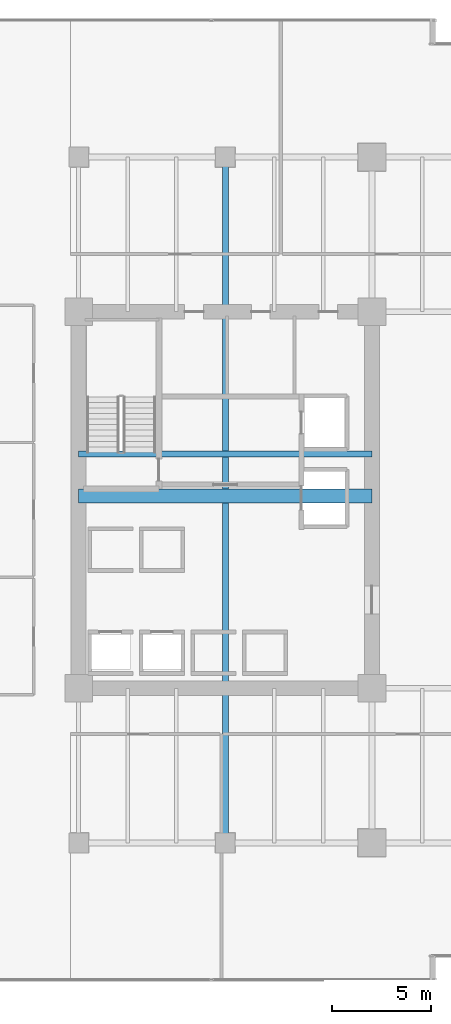
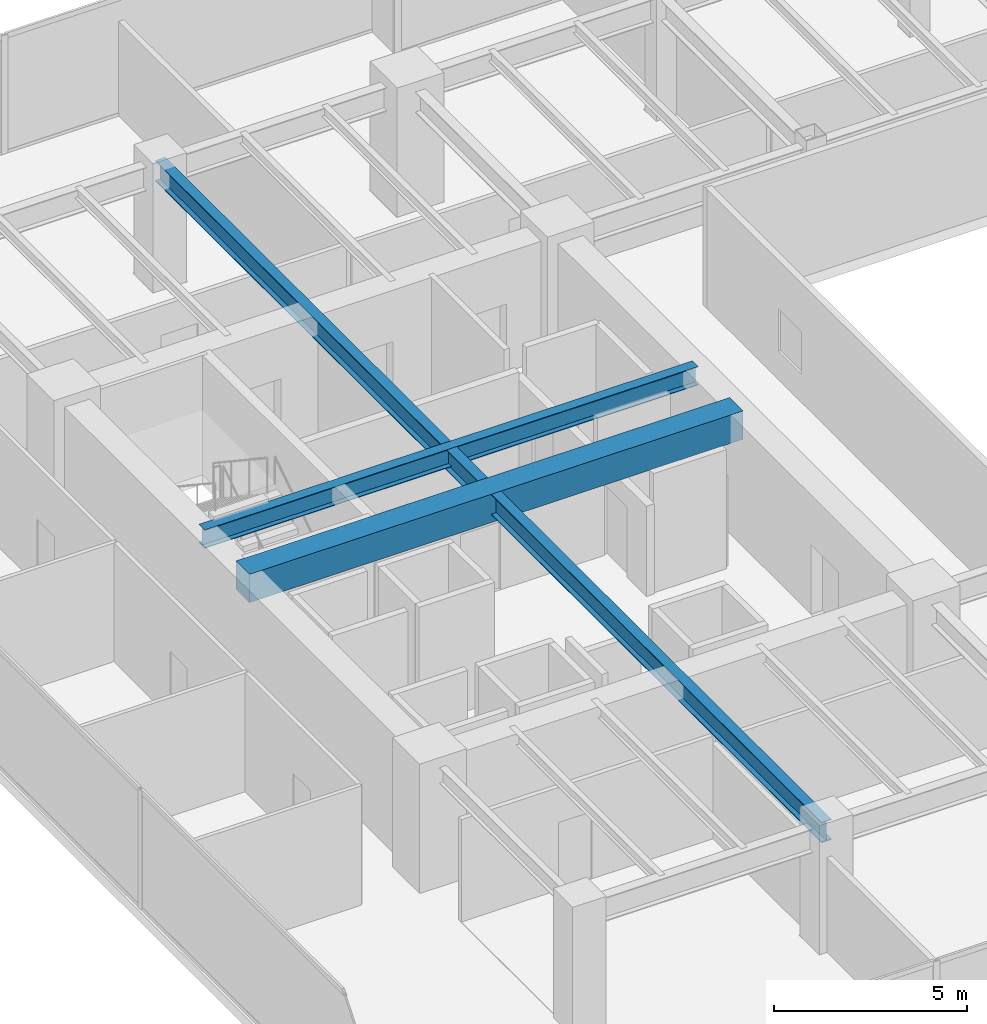
# One storey, part 7 of 37: 3 beams.
"""IFC4 building model written with IfcOpenShell, lengths in metres."""

from ifc_helpers import new_model, si_unit, direction, frame, origin, origin_2d, place, context, subcontext, project, spatial, rectangle, i_section, extrude, source, transform, mapped, material, material_profile, profile_set, type_object, type_shapes, element, save


model = new_model("IFC4")

# Units and contexts
model_context = context("Model", 3, precision=1e-05, world=origin(), true_north=direction((0.0, 1.0)))
body_context = subcontext(model_context, "Body", "Model", "MODEL_VIEW")
ifc_project = project(units=[si_unit("LENGTHUNIT", "METRE"), si_unit("AREAUNIT", "SQUARE_METRE"), si_unit("VOLUMEUNIT", "CUBIC_METRE"), si_unit("PLANEANGLEUNIT", "RADIAN"), si_unit("MASSUNIT", "GRAM", prefix="KILO")], contexts=[model_context])

# Site, building, storey
site_placement = place(None, origin())
site = spatial("IfcSite", under=ifc_project, at=site_placement, CompositionType="ELEMENT")
building_placement = place(site_placement, origin())
building = spatial("IfcBuilding", under=site, at=building_placement, Name="Haelvirn Gate Laboratories", CompositionType="ELEMENT")
storey_placement = place(building_placement, frame((0.0, 0.0, 78.5)))
storey = spatial("IfcBuildingStorey", under=building, at=storey_placement, Name="L19", CompositionType="ELEMENT", Elevation=78.5)

# Beams
ifc_material_1 = material(Name="Concrete C60/75", Category="concrete")
ifc_material_profile_1 = material_profile(ifc_material_1, rectangle(XDim=0.699951171875, YDim=0.89990234375, at=origin_2d()), Name="RCB-700x900")
ifc_profile_set_1 = profile_set([ifc_material_profile_1], Name="Concrete C60/75")
beam_type_1 = type_object("IfcBeamType", Name="BM-RCB-900", PredefinedType="LINTEL", material=ifc_profile_set_1)
shared_shape_1 = source(origin(), body_context, "Body", "SweptSolid", [
    extrude(rectangle(XDim=0.699951171875, YDim=0.89990234375, at=origin_2d()), origin(), (0.0, 0.0, 1.0), 14.800048828125),
])
type_shapes(beam_type_1, [shared_shape_1])
beam_1_placement = place(storey_placement, frame((7.39990234375, 24.5, 3.330078125), z_axis=(1.0, 0.0, 0.0), x_axis=(0.0, 1.0, 0.0)))
element("IfcBeam", 1, at=beam_1_placement, inside=storey, type_object=beam_type_1, Name="L19 West Core Coupling Beam", PredefinedType="LINTEL", context=body_context, shape_type="MappedRepresentation", body=[
    mapped(shared_shape_1, transform((0.0, 0.0, 0.0), scale=1.0)),
])
ifc_material_2 = material(Name="Steel SM355", Category="steel")
ifc_material_profile_2 = material_profile(ifc_material_2, i_section(OverallWidth=0.300048828125, OverallDepth=0.587890625, WebThickness=0.011962890625, FlangeThickness=0.02001953125, at=origin_2d()), Name="H-588x300x12x20")
ifc_profile_set_2 = profile_set([ifc_material_profile_2], Name="Steel SM355")
beam_type_2 = type_object("IfcBeamType", Name="BM-G-588", PredefinedType="BEAM", material=ifc_profile_set_2)
shared_shape_2 = source(origin(), body_context, "Body", "SweptSolid", [
    extrude(i_section(OverallWidth=0.300048828125, OverallDepth=0.587890625, WebThickness=0.011962890625, FlangeThickness=0.02001953125, at=origin_2d()), origin(), (0.0, 0.0, 1.0), 14.800048828125),
])
type_shapes(beam_type_2, [shared_shape_2])
beam_2_placement = place(storey_placement, frame((7.39990234375, 26.6201171875, 3.486083984375), z_axis=(1.0, 0.0, 0.0), x_axis=(0.0, 1.0, 0.0)))
element("IfcBeam", 2, at=beam_2_placement, inside=storey, type_object=beam_type_2, Name="L19 Stair ST1 Landing Header", PredefinedType="BEAM", context=body_context, shape_type="MappedRepresentation", body=[
    mapped(shared_shape_2, transform((0.0, 0.0, 0.0), scale=1.0)),
])
ifc_material_profile_3 = material_profile(ifc_material_2, i_section(OverallWidth=0.300048828125, OverallDepth=0.64990234375, WebThickness=0.012939453125, FlangeThickness=0.02197265625, at=origin_2d()), Name="H-650x300x13x22")
ifc_profile_set_3 = profile_set([ifc_material_profile_3], Name="Steel SM355")
beam_type_3 = type_object("IfcBeamType", Name="BM-G-650", PredefinedType="BEAM", material=ifc_profile_set_3)
shared_shape_3 = source(origin(), body_context, "Body", "SweptSolid", [
    extrude(i_section(OverallWidth=0.300048828125, OverallDepth=0.64990234375, WebThickness=0.012939453125, FlangeThickness=0.02197265625, at=origin_2d()), origin(), (0.0, 0.0, 1.0), 34.60009765625),
])
type_shapes(beam_type_3, [shared_shape_3])
beam_3_placement = place(storey_placement, frame((14.800048828125, 7.0, 3.455078125), z_axis=(0.0, 1.0, 0.0), x_axis=(-1.0, 0.0, 0.0)))
element("IfcBeam", 3, at=beam_3_placement, inside=storey, type_object=beam_type_3, Name="L19 Frame Girder X14.8 (7.0-41.6)", PredefinedType="BEAM", context=body_context, shape_type="MappedRepresentation", body=[
    mapped(shared_shape_3, transform((0.0, 0.0, 0.0), scale=1.0)),
])

save(model, "model.ifc")
